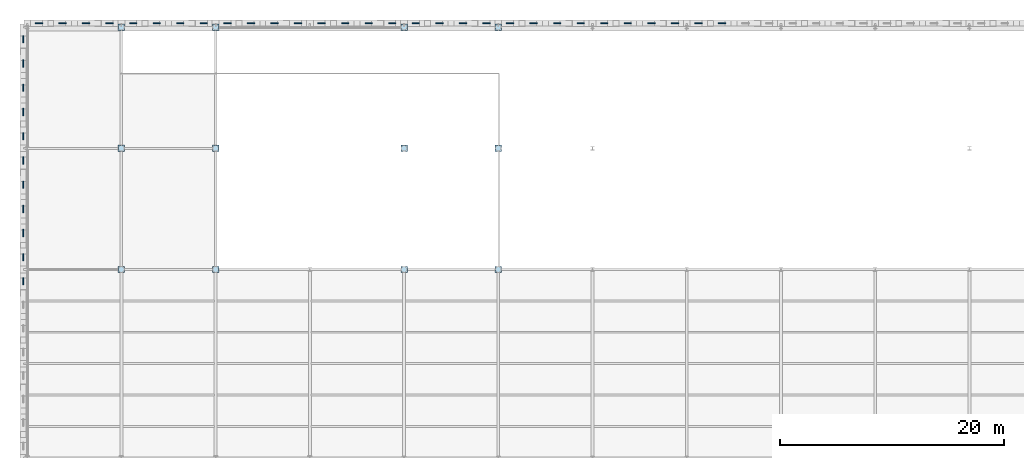
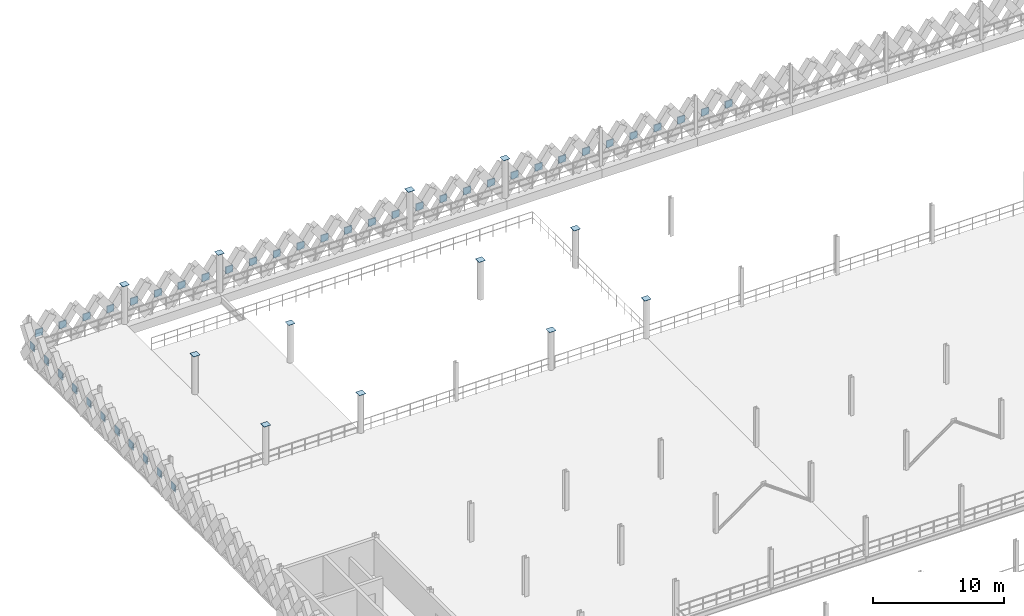
# One storey, part 37 of 47: 53 plates.
"""IFC4 building model written with IfcOpenShell, lengths in metres."""

import ifcopenshell
import ifcopenshell.guid

model = None  # the IFC model being written
_history = None  # IfcOwnerHistory: only IFC2X3 demands one
_inside = {}  # id of a spatial element -> (the spatial element, [elements in it])
_under = {}  # id of a project, library or spatial element -> (it, [spatial elements below it])
_declared = {}  # id of a project -> (the project, [libraries it declares])
_typed = {}  # id of a type object -> (the type object, [elements of that type])
_made_of = {}  # id of a material, layer set ... -> (it, [elements and type objects made of it])


def new_model(schema):
    """Start an empty IFC model of exactly this schema.

    Asked for "IFC4X3", IfcOpenShell would pick the latest addendum, in which some entities
    have other attributes; the version numbers below select the first issue.
    IFC2X3 requires an IfcOwnerHistory on every rooted entity: one is made here for all.
    """
    global model, _history
    if schema == "IFC4X3":
        model = ifcopenshell.file(schema_version=(4, 3, 0, 0))
    else:
        model = ifcopenshell.file(schema=schema)
    _inside.clear()
    _under.clear()
    _declared.clear()
    _typed.clear()
    _made_of.clear()
    _history = None
    if model.schema == "IFC2X3":
        org = make("IfcOrganization", Name="unknown")
        user = make(
            "IfcPersonAndOrganization",
            ThePerson=make("IfcPerson", FamilyName="unknown"),
            TheOrganization=org,
        )
        app = make(
            "IfcApplication",
            ApplicationDeveloper=org,
            Version="unknown",
            ApplicationFullName="unknown",
            ApplicationIdentifier="unknown",
        )
        _history = make(
            "IfcOwnerHistory",
            OwningUser=user,
            OwningApplication=app,
            ChangeAction="ADDED",
            CreationDate=0,
        )
    return model


def make(cls, **values):
    """One entity of the class cls with the attributes given. An attribute that is None is left unset."""
    return model.create_entity(
        cls, **{name: value for name, value in values.items() if value is not None}
    )


def rooted(cls, **values):
    """An entity with a GlobalId (a new one), such as an element, a storey or a relation."""
    return make(cls, GlobalId=ifcopenshell.guid.new(), OwnerHistory=_history, **values)


def si_unit(unit_type, name, prefix=None):
    """IfcSIUnit, for example si_unit("LENGTHUNIT", "METRE", prefix="MILLI")."""
    return make("IfcSIUnit", UnitType=unit_type, Prefix=prefix, Name=name)


def assignment(units):
    """IfcUnitAssignment: the units of a project."""
    return None if units is None else make("IfcUnitAssignment", Units=units)


def point(xyz):
    """IfcCartesianPoint."""
    return None if xyz is None else make("IfcCartesianPoint", Coordinates=xyz)


def direction(xyz):
    """IfcDirection."""
    return None if xyz is None else make("IfcDirection", DirectionRatios=xyz)


def frame(location, z_axis=None, x_axis=None):
    """IfcAxis2Placement3D, a coordinate frame: its origin and axes. An axis left out is left unset."""
    return make(
        "IfcAxis2Placement3D",
        Location=point(location),
        Axis=direction(z_axis),
        RefDirection=direction(x_axis),
    )


def frame_2d(location, x_axis=None):
    """IfcAxis2Placement2D, a coordinate frame in the plane: its origin and x axis."""
    return make(
        "IfcAxis2Placement2D", Location=point(location), RefDirection=direction(x_axis)
    )


def origin():
    """The frame at (0, 0, 0) with its axes left unset."""
    return frame((0.0, 0.0, 0.0))


def origin_2d():
    """The frame at (0, 0) in the plane with its x axis left unset."""
    return frame_2d((0.0, 0.0))


def place(relative_to, where):
    """IfcLocalPlacement: puts the frame where relative to a parent placement (None: the world)."""
    return make(
        "IfcLocalPlacement", PlacementRelTo=relative_to, RelativePlacement=where
    )


def context(
    kind, dimensions, precision=None, world=None, true_north=None, identifier=None
):
    """IfcGeometricRepresentationContext, for example the 3D "Model" context."""
    return make(
        "IfcGeometricRepresentationContext",
        ContextIdentifier=identifier,
        ContextType=kind,
        CoordinateSpaceDimension=dimensions,
        Precision=precision,
        WorldCoordinateSystem=world,
        TrueNorth=true_north,
    )


def subcontext(parent, identifier, kind, view, scale=None):
    """IfcGeometricRepresentationSubContext, for example "Body" below "Model"."""
    return make(
        "IfcGeometricRepresentationSubContext",
        ContextIdentifier=identifier,
        ContextType=kind,
        ParentContext=parent,
        TargetScale=scale,
        TargetView=view,
    )


def project(units=None, contexts=None):
    """IfcProject with its units and contexts."""
    return rooted(
        "IfcProject",
        Name="project",
        RepresentationContexts=contexts,
        UnitsInContext=assignment(units),
    )


def spatial(cls, under=None, at=None, **own):
    """A site, building, storey or space (cls), placed at a placement, below another one or the project."""
    s = rooted(cls, ObjectPlacement=at, **own)
    if under is not None:
        _under.setdefault(under.id(), (under, []))[1].append(s)
    return s


def profile(cls, at=None, kind="AREA", **sizes):
    """A parametric profile (cls). Its sizes go by their IFC names, for example OverallWidth=200.0."""
    return make(cls, ProfileType=kind, Position=at, **sizes)


def rectangle(**sizes):
    """IfcRectangleProfileDef."""
    return profile("IfcRectangleProfileDef", **sizes)


def extrude(swept, where, along, depth):
    """IfcExtrudedAreaSolid: the profile swept, set in the frame where, extruded along a direction by depth."""
    return make(
        "IfcExtrudedAreaSolid",
        SweptArea=swept,
        Position=where,
        ExtrudedDirection=direction(along),
        Depth=depth,
    )


def shape(context_of_items, identifier, shape_type, items):
    """IfcShapeRepresentation: the items that make up one representation, for example the "Body"."""
    return make(
        "IfcShapeRepresentation",
        ContextOfItems=context_of_items,
        RepresentationIdentifier=identifier,
        RepresentationType=shape_type,
        Items=items,
    )


def material(Name=None, Category=None):
    """IfcMaterial."""
    return make("IfcMaterial", Name=Name, Category=Category)


def layer(
    of_material, thickness, ventilated=None, Name=None, Category=None, Priority=None
):
    """IfcMaterialLayer: one layer of a wall or slab, of a material (None: an air gap)."""
    return make(
        "IfcMaterialLayer",
        Material=of_material,
        LayerThickness=thickness,
        IsVentilated=ventilated,
        Name=Name,
        Category=Category,
        Priority=Priority,
    )


def layer_set(layers, Name=None):
    """IfcMaterialLayerSet."""
    return make("IfcMaterialLayerSet", MaterialLayers=layers, LayerSetName=Name)


def made_of(thing, what):
    """Note that an element or type object is made of a material, layer set ...; save() writes the relation."""
    if what is not None:
        _made_of.setdefault(what.id(), (what, []))[1].append(thing)
    return thing


def type_object(cls, material=None, **own):
    """A type object (cls), such as IfcWallType, which elements share."""
    return made_of(rooted(cls, **own), material)


def element(
    cls,
    number,
    at=None,
    inside=None,
    cuts=None,
    type_object=None,
    material=None,
    context=None,
    identifier="Body",
    shape_type=None,
    held_by="IfcProductDefinitionShape",
    body=None,
    shapes=None,
    **own,
):
    """One element of the class cls, such as IfcWall. Its Tag is "e" and its number.

    at: its placement. inside: the storey or other place that contains it. cuts: it is an
    opening in that element (IfcRelVoidsElement). A single representation is given by context,
    identifier, shape_type and body (its items); several are given by shapes. held_by: the class
    of the entity that holds the representations. save() writes the other relations.
    """
    e = rooted(cls, Tag="e%d" % number, ObjectPlacement=at, **own)
    if body is not None:
        shapes = [shape(context, identifier, shape_type, body)]
    if shapes is not None:
        e.Representation = make(held_by, Representations=shapes)
    if inside is not None:
        _inside.setdefault(inside.id(), (inside, []))[1].append(e)
    if cuts is not None:
        rooted(
            "IfcRelVoidsElement", RelatingBuildingElement=cuts, RelatedOpeningElement=e
        )
    if type_object is not None:
        _typed.setdefault(type_object.id(), (type_object, []))[1].append(e)
    return made_of(e, material)


def aggregate(whole, parts):
    """IfcRelAggregates: a whole, such as a stair, and the parts it consists of."""
    return rooted("IfcRelAggregates", RelatingObject=whole, RelatedObjects=parts)


def save(model, path):
    """Write the relations noted so far, then the file.

    IfcRelAggregates (storeys below a building ...), IfcRelContainedInSpatialStructure (elements
    in a storey), IfcRelDefinesByType, IfcRelAssociatesMaterial and IfcRelDeclares: one each for
    every whole, place, type object, material and project.
    """
    for whole, parts in _under.values():
        aggregate(whole, parts)
    for where, things in _inside.values():
        rooted(
            "IfcRelContainedInSpatialStructure",
            RelatedElements=things,
            RelatingStructure=where,
        )
    for kind, things in _typed.values():
        rooted("IfcRelDefinesByType", RelatedObjects=things, RelatingType=kind)
    for what, things in _made_of.values():
        rooted("IfcRelAssociatesMaterial", RelatedObjects=things, RelatingMaterial=what)
    for by, libraries in _declared.values():
        rooted("IfcRelDeclares", RelatingContext=by, RelatedDefinitions=libraries)
    model.write(path)


model = new_model("IFC4")

# Units and contexts
model_context = context("Model", 3, precision=1e-05, world=origin(), true_north=direction((0.0, 1.0)))
body_context = subcontext(model_context, "Body", "Model", "MODEL_VIEW")
ifc_project = project(units=[si_unit("LENGTHUNIT", "METRE"), si_unit("AREAUNIT", "SQUARE_METRE"), si_unit("VOLUMEUNIT", "CUBIC_METRE"), si_unit("PLANEANGLEUNIT", "RADIAN"), si_unit("MASSUNIT", "GRAM", prefix="KILO"), si_unit("THERMODYNAMICTEMPERATUREUNIT", "KELVIN"), si_unit("POWERUNIT", "WATT")], contexts=[model_context])

# Site, building, storey
site_placement = place(None, origin())
site = spatial("IfcSite", under=ifc_project, at=site_placement, CompositionType="ELEMENT")
building_placement = place(site_placement, origin())
building = spatial("IfcBuilding", under=site, at=building_placement, Name="Tembeka Court Mobility Hub", CompositionType="ELEMENT")
storey_placement = place(building_placement, frame((0.0, 0.0, 19.800048828125)))
storey = spatial("IfcBuildingStorey", under=building, at=storey_placement, Name="L05", CompositionType="ELEMENT", Elevation=19.800048828125)

# Plates
ifc_material_1 = material(Name="Steel S355", Category="steel")
ifc_layer_1 = layer(ifc_material_1, 0.01806640625)
ifc_layer_set_1 = layer_set([ifc_layer_1], Name="Steel S355")
plate_type_1 = type_object("IfcPlateType", Name="PL-MCP01", PredefinedType="USERDEFINED", material=ifc_layer_set_1)
for number, where, z_axis, x_axis, name in (
    (1, (8.39990234375, 97.199951171875, 3.598876953125), (0.0, 0.0, 1.0), (1.0, 0.0, 0.0), "Hollow column C08 top cap plate MCP01-022"),
    (2, (8.39990234375, 108.0, 3.598876953125), (0.0, 0.0, 1.0), (1.0, 0.0, 0.0), "Hollow column C08 top cap plate MCP01-023"),
    (3, (8.39990234375, 118.800048828125, 3.598876953125), (0.0, 0.0, 1.0), (1.0, 0.0, 0.0), "Hollow column C08 top cap plate MCP01-024"),
    (4, (16.800048828125, 97.199951171875, 3.598876953125), (0.0, 0.0, 1.0), (1.0, 0.0, 0.0), "Hollow column C08 top cap plate MCP01-034"),
    (5, (16.800048828125, 108.0, 3.598876953125), (0.0, 0.0, 1.0), (1.0, 0.0, 0.0), "Hollow column C08 top cap plate MCP01-035"),
    (6, (16.800048828125, 118.800048828125, 3.598876953125), (0.0, 0.0, 1.0), (1.0, 0.0, 0.0), "Hollow column C08 top cap plate MCP01-036"),
    (7, (33.60009765625, 97.199951171875, 3.598876953125), (0.0, 0.0, 1.0), (1.0, 0.0, 0.0), "Hollow column C08 top cap plate MCP01-056"),
    (8, (33.60009765625, 108.0, 3.598876953125), (0.0, 0.0, 1.0), (1.0, 0.0, 0.0), "Hollow column C08 top cap plate MCP01-057"),
    (9, (33.60009765625, 118.800048828125, 3.598876953125), (0.0, 0.0, 1.0), (1.0, 0.0, 0.0), "Hollow column C08 top cap plate MCP01-058"),
    (10, (42.0, 97.199951171875, 3.598876953125), (0.0, 0.0, 1.0), (1.0, 0.0, 0.0), "Hollow column C08 top cap plate MCP01-068"),
    (11, (42.0, 108.0, 3.598876953125), (0.0, 0.0, 1.0), (1.0, 0.0, 0.0), "Hollow column C08 top cap plate MCP01-069"),
    (12, (42.0, 118.800048828125, 3.598876953125), (0.0, 0.0, 1.0), (1.0, 0.0, 0.0), "Hollow column C08 top cap plate MCP01-070"),
):
    element("IfcPlate", number, at=place(storey_placement, frame(where, z_axis=z_axis, x_axis=x_axis)), inside=storey, type_object=plate_type_1, Name=name, ObjectType="BASE PLATE", PredefinedType="USERDEFINED", context=body_context, shape_type="SweptSolid", body=[
        extrude(rectangle(XDim=0.568115234375, YDim=0.568115234375, at=origin_2d()), origin(), (0.0, 0.0, 1.0), 0.01806640625),
    ])
ifc_material_2 = material(Name="Precast concrete C45/55", Category="concrete")
ifc_layer_2 = layer(ifc_material_2, 0.090087890625)
ifc_layer_set_2 = layer_set([ifc_layer_2], Name="Precast concrete C45/55")
plate_type_2 = type_object("IfcPlateType", Name="PL-PC01", PredefinedType="SHEET", material=ifc_layer_set_2)
for number, where, z_axis, x_axis, name in (
    (13, (1.050048828125, 119.139892578125, 1.159912109375), (0.0, 0.0, 1.0), (1.0, 0.0, 0.0), "Precast diamond lattice node plate PCN01 (L05-833)"),
    (14, (3.14990234375, 119.139892578125, 1.159912109375), (0.0, 0.0, 1.0), (1.0, 0.0, 0.0), "Precast diamond lattice node plate PCN01 (L05-834)"),
    (15, (5.25, 119.139892578125, 1.159912109375), (0.0, 0.0, 1.0), (1.0, 0.0, 0.0), "Precast diamond lattice node plate PCN01 (L05-835)"),
    (16, (7.35009765625, 119.139892578125, 1.159912109375), (0.0, 0.0, 1.0), (1.0, 0.0, 0.0), "Precast diamond lattice node plate PCN01 (L05-836)"),
    (17, (9.449951171875, 119.139892578125, 1.159912109375), (0.0, 0.0, 1.0), (1.0, 0.0, 0.0), "Precast diamond lattice node plate PCN01 (L05-837)"),
    (18, (11.550048828125, 119.139892578125, 1.159912109375), (0.0, 0.0, 1.0), (1.0, 0.0, 0.0), "Precast diamond lattice node plate PCN01 (L05-838)"),
    (19, (13.64990234375, 119.139892578125, 1.159912109375), (0.0, 0.0, 1.0), (1.0, 0.0, 0.0), "Precast diamond lattice node plate PCN01 (L05-839)"),
    (20, (15.75, 119.139892578125, 1.159912109375), (0.0, 0.0, 1.0), (1.0, 0.0, 0.0), "Precast diamond lattice node plate PCN01 (L05-840)"),
    (21, (17.85009765625, 119.139892578125, 1.159912109375), (0.0, 0.0, 1.0), (1.0, 0.0, 0.0), "Precast diamond lattice node plate PCN01 (L05-841)"),
    (22, (19.949951171875, 119.139892578125, 1.159912109375), (0.0, 0.0, 1.0), (1.0, 0.0, 0.0), "Precast diamond lattice node plate PCN01 (L05-842)"),
    (23, (22.050048828125, 119.139892578125, 1.159912109375), (0.0, 0.0, 1.0), (1.0, 0.0, 0.0), "Precast diamond lattice node plate PCN01 (L05-843)"),
    (24, (24.14990234375, 119.139892578125, 1.159912109375), (0.0, 0.0, 1.0), (1.0, 0.0, 0.0), "Precast diamond lattice node plate PCN01 (L05-844)"),
    (25, (26.25, 119.139892578125, 1.159912109375), (0.0, 0.0, 1.0), (1.0, 0.0, 0.0), "Precast diamond lattice node plate PCN01 (L05-845)"),
    (26, (28.35009765625, 119.139892578125, 1.159912109375), (0.0, 0.0, 1.0), (1.0, 0.0, 0.0), "Precast diamond lattice node plate PCN01 (L05-846)"),
    (27, (30.449951171875, 119.139892578125, 1.159912109375), (0.0, 0.0, 1.0), (1.0, 0.0, 0.0), "Precast diamond lattice node plate PCN01 (L05-847)"),
    (28, (32.550048828125, 119.139892578125, 1.159912109375), (0.0, 0.0, 1.0), (1.0, 0.0, 0.0), "Precast diamond lattice node plate PCN01 (L05-848)"),
    (29, (34.64990234375, 119.139892578125, 1.159912109375), (0.0, 0.0, 1.0), (1.0, 0.0, 0.0), "Precast diamond lattice node plate PCN01 (L05-849)"),
    (30, (36.75, 119.139892578125, 1.159912109375), (0.0, 0.0, 1.0), (1.0, 0.0, 0.0), "Precast diamond lattice node plate PCN01 (L05-850)"),
    (31, (38.85009765625, 119.139892578125, 1.159912109375), (0.0, 0.0, 1.0), (1.0, 0.0, 0.0), "Precast diamond lattice node plate PCN01 (L05-851)"),
    (32, (40.949951171875, 119.139892578125, 1.159912109375), (0.0, 0.0, 1.0), (1.0, 0.0, 0.0), "Precast diamond lattice node plate PCN01 (L05-852)"),
    (33, (43.050048828125, 119.139892578125, 1.159912109375), (0.0, 0.0, 1.0), (1.0, 0.0, 0.0), "Precast diamond lattice node plate PCN01 (L05-853)"),
    (34, (45.14990234375, 119.139892578125, 1.159912109375), (0.0, 0.0, 1.0), (1.0, 0.0, 0.0), "Precast diamond lattice node plate PCN01 (L05-854)"),
    (35, (47.25, 119.139892578125, 1.159912109375), (0.0, 0.0, 1.0), (1.0, 0.0, 0.0), "Precast diamond lattice node plate PCN01 (L05-855)"),
    (36, (49.35009765625, 119.139892578125, 1.159912109375), (0.0, 0.0, 1.0), (1.0, 0.0, 0.0), "Precast diamond lattice node plate PCN01 (L05-856)"),
    (37, (51.449951171875, 119.139892578125, 1.159912109375), (0.0, 0.0, 1.0), (1.0, 0.0, 0.0), "Precast diamond lattice node plate PCN01 (L05-857)"),
    (38, (53.550048828125, 119.139892578125, 1.159912109375), (0.0, 0.0, 1.0), (1.0, 0.0, 0.0), "Precast diamond lattice node plate PCN01 (L05-858)"),
    (39, (55.64990234375, 119.139892578125, 1.159912109375), (0.0, 0.0, 1.0), (1.0, 0.0, 0.0), "Precast diamond lattice node plate PCN01 (L05-859)"),
    (40, (57.75, 119.139892578125, 1.159912109375), (0.0, 0.0, 1.0), (1.0, 0.0, 0.0), "Precast diamond lattice node plate PCN01 (L05-860)"),
    (41, (59.85009765625, 119.139892578125, 1.159912109375), (0.0, 0.0, 1.0), (1.0, 0.0, 0.0), "Precast diamond lattice node plate PCN01 (L05-861)"),
    (42, (61.949951171875, 119.139892578125, 1.159912109375), (0.0, 0.0, 1.0), (1.0, 0.0, 0.0), "Precast diamond lattice node plate PCN01 (L05-862)"),
):
    element("IfcPlate", number, at=place(storey_placement, frame(where, z_axis=z_axis, x_axis=x_axis)), inside=storey, type_object=plate_type_2, Name=name, PredefinedType="SHEET", context=body_context, shape_type="SweptSolid", body=[
        extrude(rectangle(XDim=0.64990234375, YDim=0.090087890625, at=origin_2d()), origin(), (0.0, 0.0, 1.0), 0.64990234375),
    ])
for number, where, z_axis, x_axis, name in (
    (43, (-0.340087890625, 96.14990234375, 1.159912109375), (0.0, 0.0, 1.0), (1.0, 0.0, 0.0), "Precast diamond lattice node plate PCN01 (L05-922)"),
    (44, (-0.340087890625, 98.280029296875, 1.159912109375), (0.0, 0.0, 1.0), (1.0, 0.0, 0.0), "Precast diamond lattice node plate PCN01 (L05-923)"),
    (45, (-0.340087890625, 100.43994140625, 1.159912109375), (0.0, 0.0, 1.0), (1.0, 0.0, 0.0), "Precast diamond lattice node plate PCN01 (L05-924)"),
    (46, (-0.340087890625, 102.60009765625, 1.159912109375), (0.0, 0.0, 1.0), (1.0, 0.0, 0.0), "Precast diamond lattice node plate PCN01 (L05-925)"),
    (47, (-0.340087890625, 104.760009765625, 1.159912109375), (0.0, 0.0, 1.0), (1.0, 0.0, 0.0), "Precast diamond lattice node plate PCN01 (L05-926)"),
    (48, (-0.340087890625, 106.919921875, 1.159912109375), (0.0, 0.0, 1.0), (1.0, 0.0, 0.0), "Precast diamond lattice node plate PCN01 (L05-927)"),
    (49, (-0.340087890625, 109.080078125, 1.159912109375), (0.0, 0.0, 1.0), (1.0, 0.0, 0.0), "Precast diamond lattice node plate PCN01 (L05-928)"),
    (50, (-0.340087890625, 111.239990234375, 1.159912109375), (0.0, 0.0, 1.0), (1.0, 0.0, 0.0), "Precast diamond lattice node plate PCN01 (L05-929)"),
    (51, (-0.340087890625, 113.39990234375, 1.159912109375), (0.0, 0.0, 1.0), (1.0, 0.0, 0.0), "Precast diamond lattice node plate PCN01 (L05-930)"),
    (52, (-0.340087890625, 115.56005859375, 1.159912109375), (0.0, 0.0, 1.0), (1.0, 0.0, 0.0), "Precast diamond lattice node plate PCN01 (L05-931)"),
    (53, (-0.340087890625, 117.719970703125, 1.159912109375), (0.0, 0.0, 1.0), (1.0, 0.0, 0.0), "Precast diamond lattice node plate PCN01 (L05-932)"),
):
    element("IfcPlate", number, at=place(storey_placement, frame(where, z_axis=z_axis, x_axis=x_axis)), inside=storey, type_object=plate_type_2, Name=name, PredefinedType="SHEET", context=body_context, shape_type="SweptSolid", body=[
        extrude(rectangle(XDim=0.090087890625, YDim=0.64990234375, at=origin_2d()), origin(), (0.0, 0.0, 1.0), 0.64990234375),
    ])

save(model, "model.ifc")
